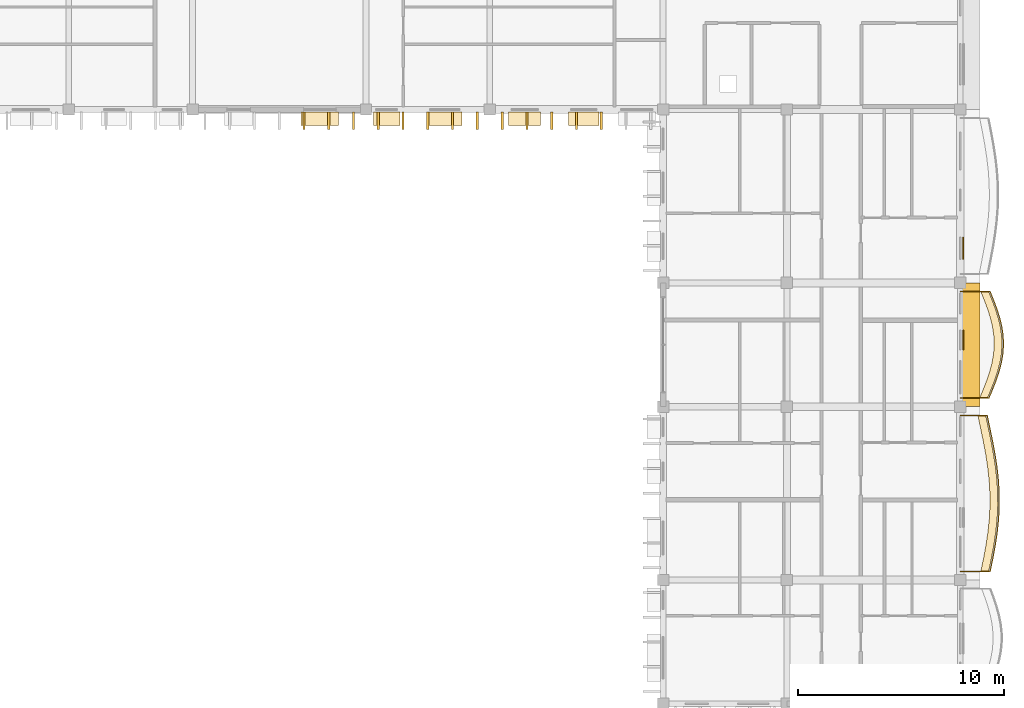
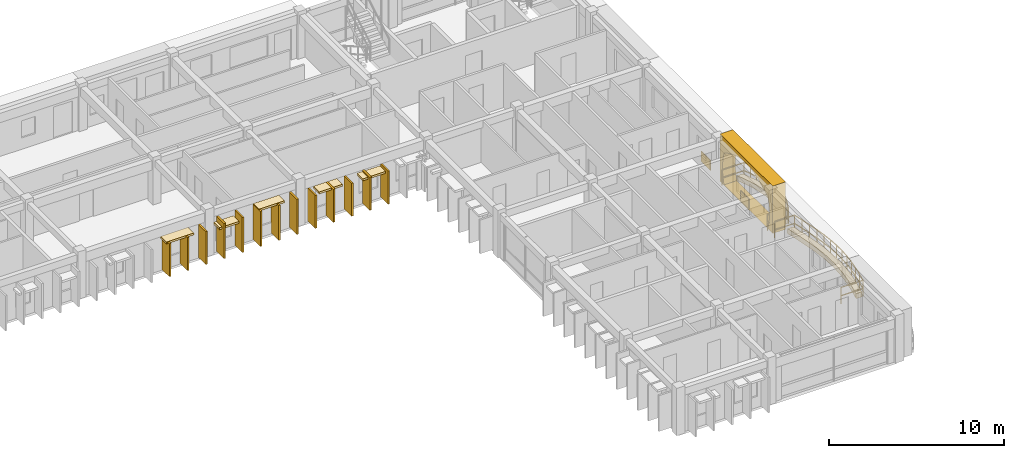
# One storey, part 52 of 54: 23 coverings, 2 railings.
"""IFC4 building model written with IfcOpenShell, lengths in metres."""

from ifc_helpers import new_model, si_unit, direction, frame, origin, origin_2d, place, context, subcontext, project, spatial, polyline, rectangle, outline, extrude, material, layer, layer_set, type_object, element, save


model = new_model("IFC4")

# Units and contexts
model_context = context("Model", 3, precision=1e-05, world=origin(), true_north=direction((0.0, 1.0)))
body_context = subcontext(model_context, "Body", "Model", "MODEL_VIEW")
ifc_project = project(units=[si_unit("LENGTHUNIT", "METRE"), si_unit("AREAUNIT", "SQUARE_METRE"), si_unit("VOLUMEUNIT", "CUBIC_METRE"), si_unit("PLANEANGLEUNIT", "RADIAN"), si_unit("MASSUNIT", "GRAM", prefix="KILO"), si_unit("THERMODYNAMICTEMPERATUREUNIT", "KELVIN")], contexts=[model_context])

# Site, building, storey
site_placement = place(None, origin())
site = spatial("IfcSite", under=ifc_project, at=site_placement, CompositionType="ELEMENT")
building_placement = place(site_placement, origin())
building = spatial("IfcBuilding", under=site, at=building_placement, Name="Thalorik Housing Commons", CompositionType="ELEMENT")
storey_placement = place(building_placement, frame((0.0, 0.0, 31.199951171875)))
storey = spatial("IfcBuildingStorey", under=building, at=storey_placement, Name="L09", CompositionType="ELEMENT", Elevation=31.199951171875)

# Coverings
ifc_material_1 = material(Name="Cobalt blue glazed ceramic facade tile panel", Category="masonry")
ifc_layer_1 = layer(ifc_material_1, 0.06005859375, Name="Cobalt blue glazed ceramic facade tile panel", Category="masonry")
ifc_layer_set_1 = layer_set([ifc_layer_1], Name="Cobalt blue glazed ceramic facade tile panel")
covering_type_1 = type_object("IfcCoveringType", Name="ARC-CLD-BLU-60", PredefinedType="CLADDING", material=ifc_layer_set_1)
covering_1_placement = place(storey_placement, frame((166.952392578125, 102.4765625, 0.05029296875), z_axis=(0.0, 0.0, 1.0), x_axis=(0.0, 1.0, 0.0)))
element("IfcCovering", 1, at=covering_1_placement, inside=storey, type_object=covering_type_1, Name="L09 De Stijl Recessed Window Spandrel 3037", PredefinedType="CLADDING", context=body_context, shape_type="SweptSolid", body=[
    extrude(rectangle(XDim=1.050048828125, YDim=0.06005859375, at=origin_2d()), origin(), (0.0, 0.0, 1.0), 0.699951171875),
])
ifc_material_2 = material(Name="Precast concrete C40/50", Category="concrete")
ifc_layer_2 = layer(ifc_material_2, 0.85009765625, Name="Precast concrete C40/50", Category="concrete")
ifc_layer_set_2 = layer_set([ifc_layer_2], Name="Precast concrete C40/50")
covering_type_2 = type_object("IfcCoveringType", Name="ARC-CLD-CUSH-850", PredefinedType="CLADDING", material=ifc_layer_set_2)
covering_2_placement = place(storey_placement, frame((167.342529296875, 97.800048828125, 0.0), z_axis=(0.0, 0.0, 1.0), x_axis=(0.0, 1.0, 0.0)))
element("IfcCovering", 2, at=covering_2_placement, inside=storey, type_object=covering_type_2, Name="L09 White Precast Curved Cushion Bay Frame 3034", PredefinedType="CLADDING", context=body_context, shape_type="SweptSolid", body=[
    extrude(outline(polyline([(-3.0, 0.0), (3.0, 0.0), (3.0, 3.300048828125), (-3.0, 3.300048828125), (-3.0, 0.0)]), holes=[polyline([(2.554931640625, 0.02490234375), (2.64892578125, 0.394287109375), (2.705322265625, 0.76318359375), (2.72412109375, 1.132568359375), (2.705322265625, 1.501708984375), (2.64892578125, 1.870849609375), (2.554931640625, 2.239990234375), (2.1396484375, 2.4833984375), (1.72412109375, 2.6748046875), (1.30859375, 2.82958984375), (0.893310546875, 2.94482421875), (0.477783203125, 3.01611328125), (0.0625, 3.0400390625), (-0.352783203125, 3.01611328125), (-0.768310546875, 2.94482421875), (-1.18359375, 2.82958984375), (-1.59912109375, 2.6748046875), (-2.0146484375, 2.4833984375), (-2.429931640625, 2.239990234375), (-2.55029296875, 1.870849609375), (-2.62255859375, 1.501708984375), (-2.646484375, 1.132568359375), (-2.62255859375, 0.76318359375), (-2.55029296875, 0.394287109375), (-2.429931640625, 0.02490234375), (2.554931640625, 0.02490234375)])]), frame((0.0, 0.425048828125, 0.0), z_axis=(0.0, -1.0, 0.0), x_axis=(1.0, 0.0, 0.0)), (0.0, 0.0, 1.0), 0.85009765625),
])
ifc_layer_3 = layer(ifc_material_2, 0.85009765625, Name="Precast concrete C40/50", Category="concrete")
ifc_layer_set_3 = layer_set([ifc_layer_3], Name="Precast concrete C40/50")
covering_type_3 = type_object("IfcCoveringType", Name="ARC-CLD-FIN-850", PredefinedType="CLADDING", material=ifc_layer_set_3)
for number, where, z_axis, x_axis, name in (
    (3, (135.0, 108.657470703125, 0.0400390625), (0.0, 0.0, 1.0), (1.0, 0.0, 0.0), "L09 Courtyard Precast Vertical Brise-Soleil Fin 2974"),
    (4, (136.199951171875, 108.657470703125, 0.0400390625), (0.0, 0.0, 1.0), (1.0, 0.0, 0.0), "L09 Courtyard Precast Vertical Brise-Soleil Fin 2975"),
    (5, (137.39990234375, 108.657470703125, 0.0400390625), (0.0, 0.0, 1.0), (1.0, 0.0, 0.0), "L09 Courtyard Precast Vertical Brise-Soleil Fin 2976"),
):
    element("IfcCovering", number, at=place(storey_placement, frame(where, z_axis=z_axis, x_axis=x_axis)), inside=storey, type_object=covering_type_3, Name=name, PredefinedType="CLADDING", context=body_context, shape_type="SweptSolid", body=[
        extrude(rectangle(XDim=0.110107421875, YDim=0.85009765625, at=origin_2d()), origin(), (0.0, 0.0, 1.0), 2.294921875),
    ])
for number, where, z_axis, x_axis, name in (
    (6, (138.60009765625, 108.657470703125, 0.0400390625), (0.0, 0.0, 1.0), (1.0, 0.0, 0.0), "L09 Courtyard Precast Vertical Brise-Soleil Fin 2979"),
    (7, (139.800048828125, 108.657470703125, 0.0400390625), (0.0, 0.0, 1.0), (1.0, 0.0, 0.0), "L09 Courtyard Precast Vertical Brise-Soleil Fin 2980"),
    (8, (141.0, 108.657470703125, 0.0400390625), (0.0, 0.0, 1.0), (1.0, 0.0, 0.0), "L09 Courtyard Precast Vertical Brise-Soleil Fin 2981"),
    (9, (142.199951171875, 108.657470703125, 0.0400390625), (0.0, 0.0, 1.0), (1.0, 0.0, 0.0), "L09 Courtyard Precast Vertical Brise-Soleil Fin 2982"),
    (10, (143.39990234375, 108.657470703125, 0.0400390625), (0.0, 0.0, 1.0), (1.0, 0.0, 0.0), "L09 Courtyard Precast Vertical Brise-Soleil Fin 2983"),
):
    element("IfcCovering", number, at=place(storey_placement, frame(where, z_axis=z_axis, x_axis=x_axis)), inside=storey, type_object=covering_type_3, Name=name, PredefinedType="CLADDING", context=body_context, shape_type="SweptSolid", body=[
        extrude(rectangle(XDim=0.110107421875, YDim=0.85009765625, at=origin_2d()), origin(), (0.0, 0.0, 1.0), 2.445068359375),
    ])
for number, where, z_axis, x_axis, name in (
    (11, (144.60009765625, 108.657470703125, 0.0400390625), (0.0, 0.0, 1.0), (1.0, 0.0, 0.0), "L09 Courtyard Precast Vertical Brise-Soleil Fin 2986"),
    (12, (145.800048828125, 108.657470703125, 0.0400390625), (0.0, 0.0, 1.0), (1.0, 0.0, 0.0), "L09 Courtyard Precast Vertical Brise-Soleil Fin 2987"),
    (13, (147.0, 108.657470703125, 0.0400390625), (0.0, 0.0, 1.0), (1.0, 0.0, 0.0), "L09 Courtyard Precast Vertical Brise-Soleil Fin 2988"),
    (14, (148.199951171875, 108.657470703125, 0.0400390625), (0.0, 0.0, 1.0), (1.0, 0.0, 0.0), "L09 Courtyard Precast Vertical Brise-Soleil Fin 2989"),
    (15, (149.39990234375, 108.657470703125, 0.0400390625), (0.0, 0.0, 1.0), (1.0, 0.0, 0.0), "L09 Courtyard Precast Vertical Brise-Soleil Fin 2990"),
):
    element("IfcCovering", number, at=place(storey_placement, frame(where, z_axis=z_axis, x_axis=x_axis)), inside=storey, type_object=covering_type_3, Name=name, PredefinedType="CLADDING", context=body_context, shape_type="SweptSolid", body=[
        extrude(rectangle(XDim=0.110107421875, YDim=0.85009765625, at=origin_2d()), origin(), (0.0, 0.0, 1.0), 2.294921875),
    ])
ifc_layer_4 = layer(ifc_material_2, 0.64990234375, Name="Precast concrete C40/50", Category="concrete")
ifc_layer_set_4 = layer_set([ifc_layer_4], Name="Precast concrete C40/50")
covering_type_4 = type_object("IfcCoveringType", Name="ARC-CLD-HOOD-650", PredefinedType="CLADDING", material=ifc_layer_set_4)
covering_3_placement = place(storey_placement, frame((135.77001953125, 108.757568359375, 2.22509765625), z_axis=(0.0, 0.0, 1.0), x_axis=(1.0, 0.0, 0.0)))
element("IfcCovering", 16, at=covering_3_placement, inside=storey, type_object=covering_type_4, Name="L09 Courtyard Precast Window Sun-Hood 2978", PredefinedType="CLADDING", context=body_context, shape_type="SweptSolid", body=[
    extrude(rectangle(XDim=1.820068359375, YDim=0.64990234375, at=origin_2d()), origin(), (0.0, 0.0, 1.0), 0.139892578125),
])
covering_4_placement = place(storey_placement, frame((139.00244140625, 108.757568359375, 1.990234375), z_axis=(0.0, 0.0, 1.0), x_axis=(1.0, 0.0, 0.0)))
element("IfcCovering", 17, at=covering_4_placement, inside=storey, type_object=covering_type_4, Name="L09 Courtyard Precast Window Sun-Hood 2984", PredefinedType="CLADDING", context=body_context, shape_type="SweptSolid", body=[
    extrude(rectangle(XDim=1.2900390625, YDim=0.64990234375, at=origin_2d()), origin(), (0.0, 0.0, 1.0), 0.139892578125),
])
covering_5_placement = place(storey_placement, frame((141.8125, 108.757568359375, 2.375), z_axis=(0.0, 0.0, 1.0), x_axis=(1.0, 0.0, 0.0)))
element("IfcCovering", 18, at=covering_5_placement, inside=storey, type_object=covering_type_4, Name="L09 Courtyard Precast Window Sun-Hood 2985", PredefinedType="CLADDING", context=body_context, shape_type="SweptSolid", body=[
    extrude(rectangle(XDim=1.68994140625, YDim=0.64990234375, at=origin_2d()), origin(), (0.0, 0.0, 1.0), 0.139892578125),
])
covering_6_placement = place(storey_placement, frame((145.68994140625, 108.757568359375, 2.18994140625), z_axis=(0.0, 0.0, 1.0), x_axis=(1.0, 0.0, 0.0)))
element("IfcCovering", 19, at=covering_6_placement, inside=storey, type_object=covering_type_4, Name="L09 Courtyard Precast Window Sun-Hood 2993", PredefinedType="CLADDING", context=body_context, shape_type="SweptSolid", body=[
    extrude(rectangle(XDim=1.5400390625, YDim=0.64990234375, at=origin_2d()), origin(), (0.0, 0.0, 1.0), 0.139892578125),
])
covering_7_placement = place(storey_placement, frame((148.550048828125, 108.757568359375, 2.09033203125), z_axis=(0.0, 0.0, 1.0), x_axis=(1.0, 0.0, 0.0)))
element("IfcCovering", 20, at=covering_7_placement, inside=storey, type_object=covering_type_4, Name="L09 Courtyard Precast Window Sun-Hood 2994", PredefinedType="CLADDING", context=body_context, shape_type="SweptSolid", body=[
    extrude(rectangle(XDim=1.489990234375, YDim=0.64990234375, at=origin_2d()), origin(), (0.0, 0.0, 1.0), 0.139892578125),
])
ifc_material_3 = material(Name="Terracotta red mineral fibre-cement panel", Category="masonry")
ifc_layer_5 = layer(ifc_material_3, 0.054931640625, Name="Terracotta red mineral fibre-cement panel", Category="masonry")
ifc_layer_set_5 = layer_set([ifc_layer_5], Name="Terracotta red mineral fibre-cement panel")
covering_type_5 = type_object("IfcCoveringType", Name="ARC-CLD-RED-55", PredefinedType="CLADDING", material=ifc_layer_set_5)
covering_8_placement = place(storey_placement, frame((166.949951171875, 98.034912109375, 0.05029296875), z_axis=(0.0, 0.0, 1.0), x_axis=(0.0, 1.0, 0.0)))
element("IfcCovering", 21, at=covering_8_placement, inside=storey, type_object=covering_type_5, Name="L09 De Stijl Recessed Window Spandrel 3035", PredefinedType="CLADDING", context=body_context, shape_type="SweptSolid", body=[
    extrude(rectangle(XDim=0.949951171875, YDim=0.054931640625, at=origin_2d()), origin(), (0.0, 0.0, 1.0), 0.699951171875),
])
ifc_material_4 = material(Name="Planted vegetated substrate and terracotta trough", Category="masonry")
ifc_layer_6 = layer(ifc_material_4, 0.340087890625, Name="Planted vegetated substrate and terracotta trough", Category="masonry")
ifc_layer_set_6 = layer_set([ifc_layer_6], Name="Planted vegetated substrate and terracotta trough")
covering_type_6 = type_object("IfcCoveringType", Name="ARC-COV-PLANTER", PredefinedType="USERDEFINED", material=ifc_layer_set_6)
covering_9_placement = place(storey_placement, origin())
element("IfcCovering", 22, at=covering_9_placement, inside=storey, type_object=covering_type_6, Name="L09 Balcony Slab-Edge Planted Trough 5537", ObjectType="PLANTER", PredefinedType="USERDEFINED", context=body_context, shape_type="SweptSolid", body=[
    extrude(outline(polyline([(168.1787109375, 86.820068359375), (168.31005859375, 87.449951171875), (168.4267578125, 88.080078125), (168.52099609375, 88.7099609375), (168.58642578125, 89.340087890625), (168.618896484375, 89.969970703125), (168.61669921875, 90.60009765625), (168.57958984375, 91.22998046875), (168.5107421875, 91.860107421875), (168.41455078125, 92.489990234375), (168.297607421875, 93.1201171875), (168.16796875, 93.75), (168.0341796875, 94.3798828125), (167.654296875, 94.3798828125), (167.787841796875, 93.75), (167.91748046875, 93.1201171875), (168.034423828125, 92.489990234375), (168.130615234375, 91.860107421875), (168.19970703125, 91.22998046875), (168.236572265625, 90.60009765625), (168.239013671875, 89.969970703125), (168.206298828125, 89.340087890625), (168.140869140625, 88.7099609375), (168.046630859375, 88.080078125), (167.929931640625, 87.449951171875), (167.798583984375, 86.820068359375), (168.1787109375, 86.820068359375)])), origin(), (0.0, 0.0, 1.0), 0.340087890625),
])
covering_10_placement = place(storey_placement, origin())
element("IfcCovering", 23, at=covering_10_placement, inside=storey, type_object=covering_type_6, Name="L09 Balcony Slab-Edge Planted Trough 5538", ObjectType="PLANTER", PredefinedType="USERDEFINED", context=body_context, shape_type="SweptSolid", body=[
    extrude(outline(polyline([(168.12060546875, 95.219970703125), (168.300537109375, 95.64990234375), (168.468017578125, 96.080078125), (168.612548828125, 96.510009765625), (168.724609375, 96.93994140625), (168.79736328125, 97.3701171875), (168.825927734375, 97.800048828125), (168.808837890625, 98.22998046875), (168.747314453125, 98.659912109375), (168.6455078125, 99.090087890625), (168.510009765625, 99.52001953125), (168.35009765625, 99.949951171875), (168.17626953125, 100.3798828125), (167.79638671875, 100.3798828125), (167.97021484375, 99.949951171875), (168.130126953125, 99.52001953125), (168.265380859375, 99.090087890625), (168.3671875, 98.659912109375), (168.4287109375, 98.22998046875), (168.44580078125, 97.800048828125), (168.417236328125, 97.3701171875), (168.3447265625, 96.93994140625), (168.232421875, 96.510009765625), (168.088134765625, 96.080078125), (167.92041015625, 95.64990234375), (167.74072265625, 95.219970703125), (168.12060546875, 95.219970703125)])), origin(), (0.0, 0.0, 1.0), 0.340087890625),
])

# Railings
ifc_material_5 = material(Name="Steel S355", Category="steel")
railing_type_1 = type_object("IfcRailingType", Name="ARC-RL-BAL-112", PredefinedType="BALUSTRADE", material=ifc_material_5)
railing_1_placement = place(storey_placement, frame((166.800048828125, 95.219970703125, 0.0)))
element("IfcRailing", 24, at=railing_1_placement, inside=storey, type_object=railing_type_1, Name="L09 Cushion Balcony Guardrail 222", PredefinedType="BALUSTRADE", context=body_context, shape_type="SweptSolid", body=[
    extrude(rectangle(XDim=0.050048828125, YDim=0.050048828125, at=origin_2d()), frame((0.0, 0.0, 1.09521484375), z_axis=(1.0, 0.0, 0.0), x_axis=(0.0, 1.0, 0.0)), (0.0, 0.0, 1.0), 1.390625),
    extrude(rectangle(XDim=0.050048828125, YDim=0.050048828125, at=origin_2d()), frame((0.0, 0.0, 0.53515625), z_axis=(1.0, 0.0, 0.0), x_axis=(0.0, 1.0, 0.0)), (0.0, 0.0, 1.0), 1.390625),
    extrude(rectangle(XDim=0.050048828125, YDim=0.050048828125, at=origin_2d()), frame((1.390625, 0.0, 1.09521484375), z_axis=(0.386065526425, 0.922471359613, 0.0), x_axis=(-0.922471359613, 0.386065526425, 0.0)), (0.0, 0.0, 1.0), 0.466064453125),
    extrude(rectangle(XDim=0.050048828125, YDim=0.050048828125, at=origin_2d()), frame((1.390625, 0.0, 0.53515625), z_axis=(0.386065526425, 0.922471359613, 0.0), x_axis=(-0.922471359613, 0.386065526425, 0.0)), (0.0, 0.0, 1.0), 0.466064453125),
    extrude(rectangle(XDim=0.050048828125, YDim=0.050048828125, at=origin_2d()), frame((1.570556640625, 0.429931640625, 1.09521484375), z_axis=(0.362803539532, 0.931865651102, 0.0), x_axis=(-0.931865651102, 0.362803539532, 0.0)), (0.0, 0.0, 1.0), 0.461669921875),
    extrude(rectangle(XDim=0.050048828125, YDim=0.050048828125, at=origin_2d()), frame((1.570556640625, 0.429931640625, 0.53515625), z_axis=(0.362803539532, 0.931865651102, 0.0), x_axis=(-0.931865651102, 0.362803539532, 0.0)), (0.0, 0.0, 1.0), 0.461669921875),
    extrude(rectangle(XDim=0.050048828125, YDim=0.050048828125, at=origin_2d()), frame((1.738037109375, 0.860107421875, 1.09521484375), z_axis=(0.318648897539, 0.947872818524, 0.0), x_axis=(-0.947872818524, 0.318648897539, 0.0)), (0.0, 0.0, 1.0), 0.45361328125),
    extrude(rectangle(XDim=0.050048828125, YDim=0.050048828125, at=origin_2d()), frame((1.738037109375, 0.860107421875, 0.53515625), z_axis=(0.318648897539, 0.947872818524, 0.0), x_axis=(-0.947872818524, 0.318648897539, 0.0)), (0.0, 0.0, 1.0), 0.45361328125),
    extrude(rectangle(XDim=0.050048828125, YDim=0.050048828125, at=origin_2d()), frame((1.882568359375, 1.2900390625, 1.09521484375), z_axis=(0.252220570388, 0.967669770052, 0.0), x_axis=(-0.967669770052, 0.252220570388, 0.0)), (0.0, 0.0, 1.0), 0.4443359375),
    extrude(rectangle(XDim=0.050048828125, YDim=0.050048828125, at=origin_2d()), frame((1.882568359375, 1.2900390625, 0.53515625), z_axis=(0.252220570388, 0.967669770052, 0.0), x_axis=(-0.967669770052, 0.252220570388, 0.0)), (0.0, 0.0, 1.0), 0.4443359375),
    extrude(rectangle(XDim=0.050048828125, YDim=0.050048828125, at=origin_2d()), frame((1.99462890625, 1.719970703125, 1.09521484375), z_axis=(0.166213765113, 0.98608974454, 0.0), x_axis=(-0.98608974454, 0.166213765113, 0.0)), (0.0, 0.0, 1.0), 0.436279296875),
    extrude(rectangle(XDim=0.050048828125, YDim=0.050048828125, at=origin_2d()), frame((1.99462890625, 1.719970703125, 0.53515625), z_axis=(0.166213765113, 0.98608974454, 0.0), x_axis=(-0.98608974454, 0.166213765113, 0.0)), (0.0, 0.0, 1.0), 0.436279296875),
    extrude(rectangle(XDim=0.050048828125, YDim=0.050048828125, at=origin_2d()), frame((2.067138671875, 2.150146484375, 1.09521484375), z_axis=(0.066857455644, 0.997762537193, 0.0), x_axis=(-0.997762537193, 0.066857455644, 0.0)), (0.0, 0.0, 1.0), 0.430908203125),
    extrude(rectangle(XDim=0.050048828125, YDim=0.050048828125, at=origin_2d()), frame((2.067138671875, 2.150146484375, 0.53515625), z_axis=(0.066857455644, 0.997762537193, 0.0), x_axis=(-0.997762537193, 0.066857455644, 0.0)), (0.0, 0.0, 1.0), 0.430908203125),
    extrude(rectangle(XDim=0.050048828125, YDim=0.050048828125, at=origin_2d()), frame((2.095947265625, 2.580078125, 1.09521484375), z_axis=(-0.039718775053, 0.999210898113, 0.0), x_axis=(-0.999210898113, -0.039718775053, 0.0)), (0.0, 0.0, 1.0), 0.43017578125),
    extrude(rectangle(XDim=0.050048828125, YDim=0.050048828125, at=origin_2d()), frame((2.095947265625, 2.580078125, 0.53515625), z_axis=(-0.039718775053, 0.999210898113, 0.0), x_axis=(-0.999210898113, -0.039718775053, 0.0)), (0.0, 0.0, 1.0), 0.43017578125),
    extrude(rectangle(XDim=0.050048828125, YDim=0.050048828125, at=origin_2d()), frame((2.078857421875, 3.010009765625, 1.09521484375), z_axis=(-0.142208234594, 0.989836763317, 0.0), x_axis=(-0.989836763317, -0.142208234594, 0.0)), (0.0, 0.0, 1.0), 0.434326171875),
    extrude(rectangle(XDim=0.050048828125, YDim=0.050048828125, at=origin_2d()), frame((2.078857421875, 3.010009765625, 0.53515625), z_axis=(-0.142208234594, 0.989836763317, 0.0), x_axis=(-0.989836763317, -0.142208234594, 0.0)), (0.0, 0.0, 1.0), 0.434326171875),
    extrude(rectangle(XDim=0.050048828125, YDim=0.050048828125, at=origin_2d()), frame((2.01708984375, 3.43994140625, 1.09521484375), z_axis=(-0.230301239443, 0.973119385847, 0.0), x_axis=(-0.973119385847, -0.230301239443, 0.0)), (0.0, 0.0, 1.0), 0.442138671875),
    extrude(rectangle(XDim=0.050048828125, YDim=0.050048828125, at=origin_2d()), frame((2.01708984375, 3.43994140625, 0.53515625), z_axis=(-0.230301239443, 0.973119385847, 0.0), x_axis=(-0.973119385847, -0.230301239443, 0.0)), (0.0, 0.0, 1.0), 0.442138671875),
    extrude(rectangle(XDim=0.050048828125, YDim=0.050048828125, at=origin_2d()), frame((1.915283203125, 3.8701171875, 1.09521484375), z_axis=(-0.300094208559, 0.953909569084, 0.0), x_axis=(-0.953909569084, -0.300094208559, 0.0)), (0.0, 0.0, 1.0), 0.45068359375),
    extrude(rectangle(XDim=0.050048828125, YDim=0.050048828125, at=origin_2d()), frame((1.915283203125, 3.8701171875, 0.53515625), z_axis=(-0.300094208559, 0.953909569084, 0.0), x_axis=(-0.953909569084, -0.300094208559, 0.0)), (0.0, 0.0, 1.0), 0.45068359375),
    extrude(rectangle(XDim=0.050048828125, YDim=0.050048828125, at=origin_2d()), frame((1.780029296875, 4.300048828125, 1.09521484375), z_axis=(-0.348614114269, 0.93726634386, 0.0), x_axis=(-0.93726634386, -0.348614114269, 0.0)), (0.0, 0.0, 1.0), 0.458740234375),
    extrude(rectangle(XDim=0.050048828125, YDim=0.050048828125, at=origin_2d()), frame((1.780029296875, 4.300048828125, 0.53515625), z_axis=(-0.348614114269, 0.93726634386, 0.0), x_axis=(-0.93726634386, -0.348614114269, 0.0)), (0.0, 0.0, 1.0), 0.458740234375),
    extrude(rectangle(XDim=0.050048828125, YDim=0.050048828125, at=origin_2d()), frame((1.6201171875, 4.72998046875, 1.09521484375), z_axis=(-0.374837314047, 0.927090603985, 0.0), x_axis=(-0.927090603985, -0.374837314047, 0.0)), (0.0, 0.0, 1.0), 0.463623046875),
    extrude(rectangle(XDim=0.050048828125, YDim=0.050048828125, at=origin_2d()), frame((1.6201171875, 4.72998046875, 0.53515625), z_axis=(-0.374837314047, 0.927090603985, 0.0), x_axis=(-0.927090603985, -0.374837314047, 0.0)), (0.0, 0.0, 1.0), 0.463623046875),
    extrude(rectangle(XDim=0.050048828125, YDim=0.050048828125, at=origin_2d()), frame((1.4462890625, 5.159912109375, 1.09521484375), z_axis=(-1.0, 0.0, 0.0), x_axis=(0.0, -1.0, 0.0)), (0.0, 0.0, 1.0), 1.4462890625),
    extrude(rectangle(XDim=0.050048828125, YDim=0.050048828125, at=origin_2d()), frame((1.4462890625, 5.159912109375, 0.53515625), z_axis=(-1.0, 0.0, 0.0), x_axis=(0.0, -1.0, 0.0)), (0.0, 0.0, 1.0), 1.4462890625),
    extrude(rectangle(XDim=0.0419921875, YDim=0.0419921875, at=origin_2d()), origin(), (0.0, 0.0, 1.0), 1.070068359375),
    extrude(rectangle(XDim=0.0419921875, YDim=0.0419921875, at=origin_2d()), frame((1.390625, 0.0, 0.0)), (0.0, 0.0, 1.0), 1.070068359375),
    extrude(rectangle(XDim=0.0419921875, YDim=0.0419921875, at=origin_2d()), frame((1.570556640625, 0.429931640625, 0.0)), (0.0, 0.0, 1.0), 1.070068359375),
    extrude(rectangle(XDim=0.0419921875, YDim=0.0419921875, at=origin_2d()), frame((1.738037109375, 0.860107421875, 0.0)), (0.0, 0.0, 1.0), 1.070068359375),
    extrude(rectangle(XDim=0.0419921875, YDim=0.0419921875, at=origin_2d()), frame((1.882568359375, 1.2900390625, 0.0)), (0.0, 0.0, 1.0), 1.070068359375),
    extrude(rectangle(XDim=0.0419921875, YDim=0.0419921875, at=origin_2d()), frame((1.99462890625, 1.719970703125, 0.0)), (0.0, 0.0, 1.0), 1.070068359375),
    extrude(rectangle(XDim=0.0419921875, YDim=0.0419921875, at=origin_2d()), frame((2.067138671875, 2.150146484375, 0.0)), (0.0, 0.0, 1.0), 1.070068359375),
    extrude(rectangle(XDim=0.0419921875, YDim=0.0419921875, at=origin_2d()), frame((2.095947265625, 2.580078125, 0.0)), (0.0, 0.0, 1.0), 1.070068359375),
    extrude(rectangle(XDim=0.0419921875, YDim=0.0419921875, at=origin_2d()), frame((2.078857421875, 3.010009765625, 0.0)), (0.0, 0.0, 1.0), 1.070068359375),
    extrude(rectangle(XDim=0.0419921875, YDim=0.0419921875, at=origin_2d()), frame((2.01708984375, 3.43994140625, 0.0)), (0.0, 0.0, 1.0), 1.070068359375),
    extrude(rectangle(XDim=0.0419921875, YDim=0.0419921875, at=origin_2d()), frame((1.915283203125, 3.8701171875, 0.0)), (0.0, 0.0, 1.0), 1.070068359375),
    extrude(rectangle(XDim=0.0419921875, YDim=0.0419921875, at=origin_2d()), frame((1.780029296875, 4.300048828125, 0.0)), (0.0, 0.0, 1.0), 1.070068359375),
    extrude(rectangle(XDim=0.0419921875, YDim=0.0419921875, at=origin_2d()), frame((1.6201171875, 4.72998046875, 0.0)), (0.0, 0.0, 1.0), 1.070068359375),
    extrude(rectangle(XDim=0.0419921875, YDim=0.0419921875, at=origin_2d()), frame((1.4462890625, 5.159912109375, 0.0)), (0.0, 0.0, 1.0), 1.070068359375),
    extrude(rectangle(XDim=0.0419921875, YDim=0.0419921875, at=origin_2d()), frame((0.0, 5.159912109375, 0.0)), (0.0, 0.0, 1.0), 1.070068359375),
])
railing_type_2 = type_object("IfcRailingType", Name="ARC-RL-BAL-115", PredefinedType="BALUSTRADE", material=ifc_material_5)
railing_2_placement = place(storey_placement, frame((166.800048828125, 86.820068359375, 0.0)))
element("IfcRailing", 25, at=railing_2_placement, inside=storey, type_object=railing_type_2, Name="L09 Cushion Balcony Guardrail 221", PredefinedType="BALUSTRADE", context=body_context, shape_type="SweptSolid", body=[
    extrude(rectangle(XDim=0.050048828125, YDim=0.050048828125, at=origin_2d()), frame((0.0, 0.0, 1.125), z_axis=(1.0, 0.0, 0.0), x_axis=(0.0, 1.0, 0.0)), (0.0, 0.0, 1.0), 1.448486328125),
    extrude(rectangle(XDim=0.050048828125, YDim=0.050048828125, at=origin_2d()), frame((0.0, 0.0, 0.5498046875), z_axis=(1.0, 0.0, 0.0), x_axis=(0.0, 1.0, 0.0)), (0.0, 0.0, 1.0), 1.448486328125),
    extrude(rectangle(XDim=0.050048828125, YDim=0.050048828125, at=origin_2d()), frame((1.448486328125, 0.0, 1.125), z_axis=(0.204136076393, 0.978942522478, 0.0), x_axis=(-0.978942522478, 0.204136076393, 0.0)), (0.0, 0.0, 1.0), 0.643310546875),
    extrude(rectangle(XDim=0.050048828125, YDim=0.050048828125, at=origin_2d()), frame((1.448486328125, 0.0, 0.5498046875), z_axis=(0.204136076393, 0.978942522478, 0.0), x_axis=(-0.978942522478, 0.204136076393, 0.0)), (0.0, 0.0, 1.0), 0.643310546875),
    extrude(rectangle(XDim=0.050048828125, YDim=0.050048828125, at=origin_2d()), frame((1.579833984375, 0.6298828125, 1.125), z_axis=(0.18210290227, 0.983279478574, 0.0), x_axis=(-0.983279478574, 0.18210290227, 0.0)), (0.0, 0.0, 1.0), 0.640869140625),
    extrude(rectangle(XDim=0.050048828125, YDim=0.050048828125, at=origin_2d()), frame((1.579833984375, 0.6298828125, 0.5498046875), z_axis=(0.18210290227, 0.983279478574, 0.0), x_axis=(-0.983279478574, 0.18210290227, 0.0)), (0.0, 0.0, 1.0), 0.640869140625),
    extrude(rectangle(XDim=0.050048828125, YDim=0.050048828125, at=origin_2d()), frame((1.696533203125, 1.260009765625, 1.125), z_axis=(0.147965546983, 0.988992516102, 0.0), x_axis=(-0.988992516102, 0.147965546983, 0.0)), (0.0, 0.0, 1.0), 0.636962890625),
    extrude(rectangle(XDim=0.050048828125, YDim=0.050048828125, at=origin_2d()), frame((1.696533203125, 1.260009765625, 0.5498046875), z_axis=(0.147965546983, 0.988992516102, 0.0), x_axis=(-0.988992516102, 0.147965546983, 0.0)), (0.0, 0.0, 1.0), 0.636962890625),
    extrude(rectangle(XDim=0.050048828125, YDim=0.050048828125, at=origin_2d()), frame((1.790771484375, 1.889892578125, 1.125), z_axis=(0.103661679099, 0.994612616191, 0.0), x_axis=(-0.994612616191, 0.103661679099, 0.0)), (0.0, 0.0, 1.0), 0.633544921875),
    extrude(rectangle(XDim=0.050048828125, YDim=0.050048828125, at=origin_2d()), frame((1.790771484375, 1.889892578125, 0.5498046875), z_axis=(0.103661679099, 0.994612616191, 0.0), x_axis=(-0.994612616191, 0.103661679099, 0.0)), (0.0, 0.0, 1.0), 0.633544921875),
    extrude(rectangle(XDim=0.050048828125, YDim=0.050048828125, at=origin_2d()), frame((1.8564453125, 2.52001953125, 1.125), z_axis=(0.051482027719, 0.998673921168, 0.0), x_axis=(-0.998673921168, 0.051482027719, 0.0)), (0.0, 0.0, 1.0), 0.630615234375),
    extrude(rectangle(XDim=0.050048828125, YDim=0.050048828125, at=origin_2d()), frame((1.8564453125, 2.52001953125, 0.5498046875), z_axis=(0.051482027719, 0.998673921168, 0.0), x_axis=(-0.998673921168, 0.051482027719, 0.0)), (0.0, 0.0, 1.0), 0.630615234375),
    extrude(rectangle(XDim=0.050048828125, YDim=0.050048828125, at=origin_2d()), frame((1.888916015625, 3.14990234375, 1.125), z_axis=(-0.00387443818, 0.999992494336, 0.0), x_axis=(-0.999992494336, -0.00387443818, 0.0)), (0.0, 0.0, 1.0), 0.630126953125),
    extrude(rectangle(XDim=0.050048828125, YDim=0.050048828125, at=origin_2d()), frame((1.888916015625, 3.14990234375, 0.5498046875), z_axis=(-0.00387443818, 0.999992494336, 0.0), x_axis=(-0.999992494336, -0.00387443818, 0.0)), (0.0, 0.0, 1.0), 0.630126953125),
    extrude(rectangle(XDim=0.050048828125, YDim=0.050048828125, at=origin_2d()), frame((1.886474609375, 3.780029296875, 1.125), z_axis=(-0.058427148419, 0.998291674977, 0.0), x_axis=(-0.998291674977, -0.058427148419, 0.0)), (0.0, 0.0, 1.0), 0.630859375),
    extrude(rectangle(XDim=0.050048828125, YDim=0.050048828125, at=origin_2d()), frame((1.886474609375, 3.780029296875, 0.5498046875), z_axis=(-0.058427148419, 0.998291674977, 0.0), x_axis=(-0.998291674977, -0.058427148419, 0.0)), (0.0, 0.0, 1.0), 0.630859375),
    extrude(rectangle(XDim=0.050048828125, YDim=0.050048828125, at=origin_2d()), frame((1.849609375, 4.409912109375, 1.125), z_axis=(-0.108613599509, 0.994084043732, 0.0), x_axis=(-0.994084043732, -0.108613599509, 0.0)), (0.0, 0.0, 1.0), 0.6337890625),
    extrude(rectangle(XDim=0.050048828125, YDim=0.050048828125, at=origin_2d()), frame((1.849609375, 4.409912109375, 0.5498046875), z_axis=(-0.108613599509, 0.994084043732, 0.0), x_axis=(-0.994084043732, -0.108613599509, 0.0)), (0.0, 0.0, 1.0), 0.6337890625),
    extrude(rectangle(XDim=0.050048828125, YDim=0.050048828125, at=origin_2d()), frame((1.78076171875, 5.0400390625, 1.125), z_axis=(-0.150962995847, 0.988539414432, 0.0), x_axis=(-0.988539414432, -0.150962995847, 0.0)), (0.0, 0.0, 1.0), 0.63720703125),
    extrude(rectangle(XDim=0.050048828125, YDim=0.050048828125, at=origin_2d()), frame((1.78076171875, 5.0400390625, 0.5498046875), z_axis=(-0.150962995847, 0.988539414432, 0.0), x_axis=(-0.988539414432, -0.150962995847, 0.0)), (0.0, 0.0, 1.0), 0.63720703125),
    extrude(rectangle(XDim=0.050048828125, YDim=0.050048828125, at=origin_2d()), frame((1.6845703125, 5.669921875, 1.125), z_axis=(-0.182471198861, 0.983211198872, 0.0), x_axis=(-0.983211198872, -0.182471198861, 0.0)), (0.0, 0.0, 1.0), 0.640869140625),
    extrude(rectangle(XDim=0.050048828125, YDim=0.050048828125, at=origin_2d()), frame((1.6845703125, 5.669921875, 0.5498046875), z_axis=(-0.182471198861, 0.983211198872, 0.0), x_axis=(-0.983211198872, -0.182471198861, 0.0)), (0.0, 0.0, 1.0), 0.640869140625),
    extrude(rectangle(XDim=0.050048828125, YDim=0.050048828125, at=origin_2d()), frame((1.567626953125, 6.300048828125, 1.125), z_axis=(-0.201952819313, 0.979395251557, 0.0), x_axis=(-0.979395251557, -0.201952819313, 0.0)), (0.0, 0.0, 1.0), 0.64306640625),
    extrude(rectangle(XDim=0.050048828125, YDim=0.050048828125, at=origin_2d()), frame((1.567626953125, 6.300048828125, 0.5498046875), z_axis=(-0.201952819313, 0.979395251557, 0.0), x_axis=(-0.979395251557, -0.201952819313, 0.0)), (0.0, 0.0, 1.0), 0.64306640625),
    extrude(rectangle(XDim=0.050048828125, YDim=0.050048828125, at=origin_2d()), frame((1.437744140625, 6.929931640625, 1.125), z_axis=(-0.207405250274, 0.97825511098, 0.0), x_axis=(-0.97825511098, -0.207405250274, 0.0)), (0.0, 0.0, 1.0), 0.643798828125),
    extrude(rectangle(XDim=0.050048828125, YDim=0.050048828125, at=origin_2d()), frame((1.437744140625, 6.929931640625, 0.5498046875), z_axis=(-0.207405250274, 0.97825511098, 0.0), x_axis=(-0.97825511098, -0.207405250274, 0.0)), (0.0, 0.0, 1.0), 0.643798828125),
    extrude(rectangle(XDim=0.050048828125, YDim=0.050048828125, at=origin_2d()), frame((1.30419921875, 7.559814453125, 1.125), z_axis=(-1.0, 0.0, 0.0), x_axis=(0.0, -1.0, 0.0)), (0.0, 0.0, 1.0), 1.30419921875),
    extrude(rectangle(XDim=0.050048828125, YDim=0.050048828125, at=origin_2d()), frame((1.30419921875, 7.559814453125, 0.5498046875), z_axis=(-1.0, 0.0, 0.0), x_axis=(0.0, -1.0, 0.0)), (0.0, 0.0, 1.0), 1.30419921875),
    extrude(rectangle(XDim=0.0419921875, YDim=0.0419921875, at=origin_2d()), origin(), (0.0, 0.0, 1.0), 1.099853515625),
    extrude(rectangle(XDim=0.0419921875, YDim=0.0419921875, at=origin_2d()), frame((1.448486328125, 0.0, 0.0)), (0.0, 0.0, 1.0), 1.099853515625),
    extrude(rectangle(XDim=0.0419921875, YDim=0.0419921875, at=origin_2d()), frame((1.579833984375, 0.6298828125, 0.0)), (0.0, 0.0, 1.0), 1.099853515625),
    extrude(rectangle(XDim=0.0419921875, YDim=0.0419921875, at=origin_2d()), frame((1.696533203125, 1.260009765625, 0.0)), (0.0, 0.0, 1.0), 1.099853515625),
    extrude(rectangle(XDim=0.0419921875, YDim=0.0419921875, at=origin_2d()), frame((1.790771484375, 1.889892578125, 0.0)), (0.0, 0.0, 1.0), 1.099853515625),
    extrude(rectangle(XDim=0.0419921875, YDim=0.0419921875, at=origin_2d()), frame((1.8564453125, 2.52001953125, 0.0)), (0.0, 0.0, 1.0), 1.099853515625),
    extrude(rectangle(XDim=0.0419921875, YDim=0.0419921875, at=origin_2d()), frame((1.888916015625, 3.14990234375, 0.0)), (0.0, 0.0, 1.0), 1.099853515625),
    extrude(rectangle(XDim=0.0419921875, YDim=0.0419921875, at=origin_2d()), frame((1.886474609375, 3.780029296875, 0.0)), (0.0, 0.0, 1.0), 1.099853515625),
    extrude(rectangle(XDim=0.0419921875, YDim=0.0419921875, at=origin_2d()), frame((1.849609375, 4.409912109375, 0.0)), (0.0, 0.0, 1.0), 1.099853515625),
    extrude(rectangle(XDim=0.0419921875, YDim=0.0419921875, at=origin_2d()), frame((1.78076171875, 5.0400390625, 0.0)), (0.0, 0.0, 1.0), 1.099853515625),
    extrude(rectangle(XDim=0.0419921875, YDim=0.0419921875, at=origin_2d()), frame((1.6845703125, 5.669921875, 0.0)), (0.0, 0.0, 1.0), 1.099853515625),
    extrude(rectangle(XDim=0.0419921875, YDim=0.0419921875, at=origin_2d()), frame((1.567626953125, 6.300048828125, 0.0)), (0.0, 0.0, 1.0), 1.099853515625),
    extrude(rectangle(XDim=0.0419921875, YDim=0.0419921875, at=origin_2d()), frame((1.437744140625, 6.929931640625, 0.0)), (0.0, 0.0, 1.0), 1.099853515625),
    extrude(rectangle(XDim=0.0419921875, YDim=0.0419921875, at=origin_2d()), frame((1.30419921875, 7.559814453125, 0.0)), (0.0, 0.0, 1.0), 1.099853515625),
    extrude(rectangle(XDim=0.0419921875, YDim=0.0419921875, at=origin_2d()), frame((0.0, 7.559814453125, 0.0)), (0.0, 0.0, 1.0), 1.099853515625),
])

save(model, "model.ifc")
